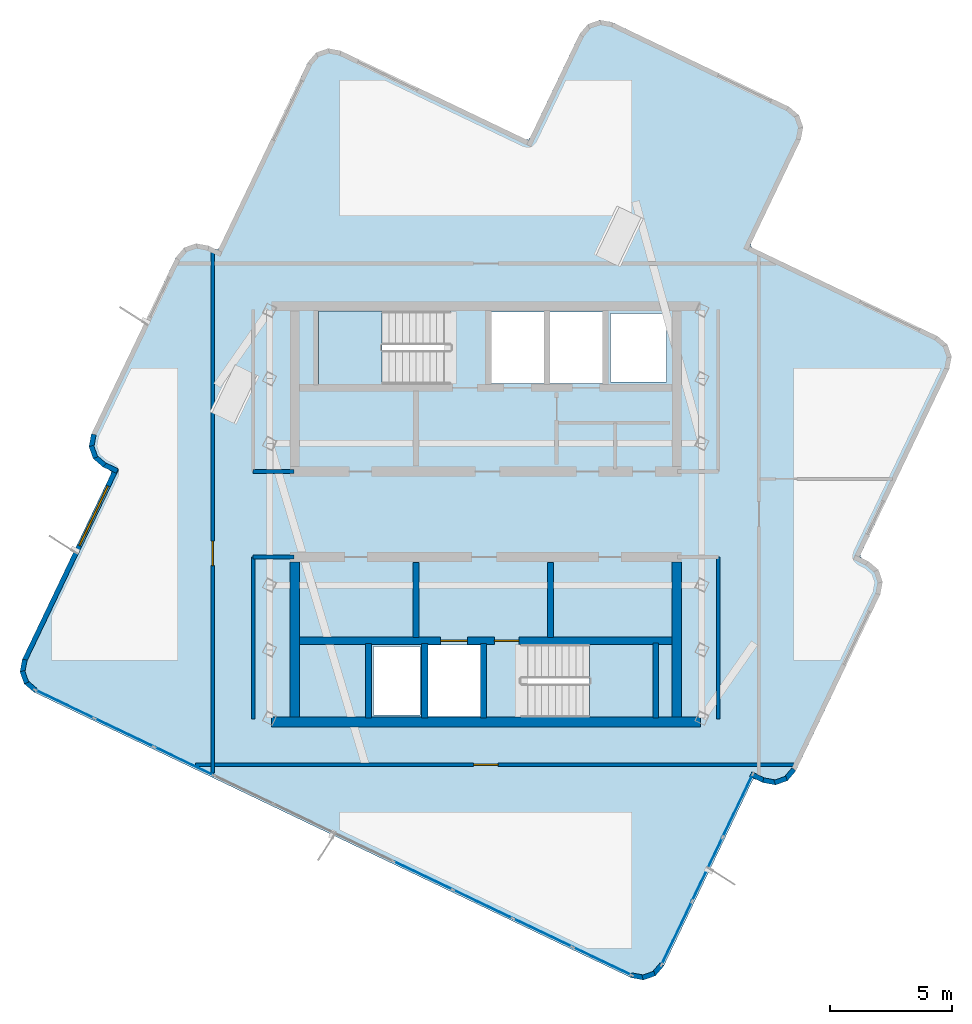
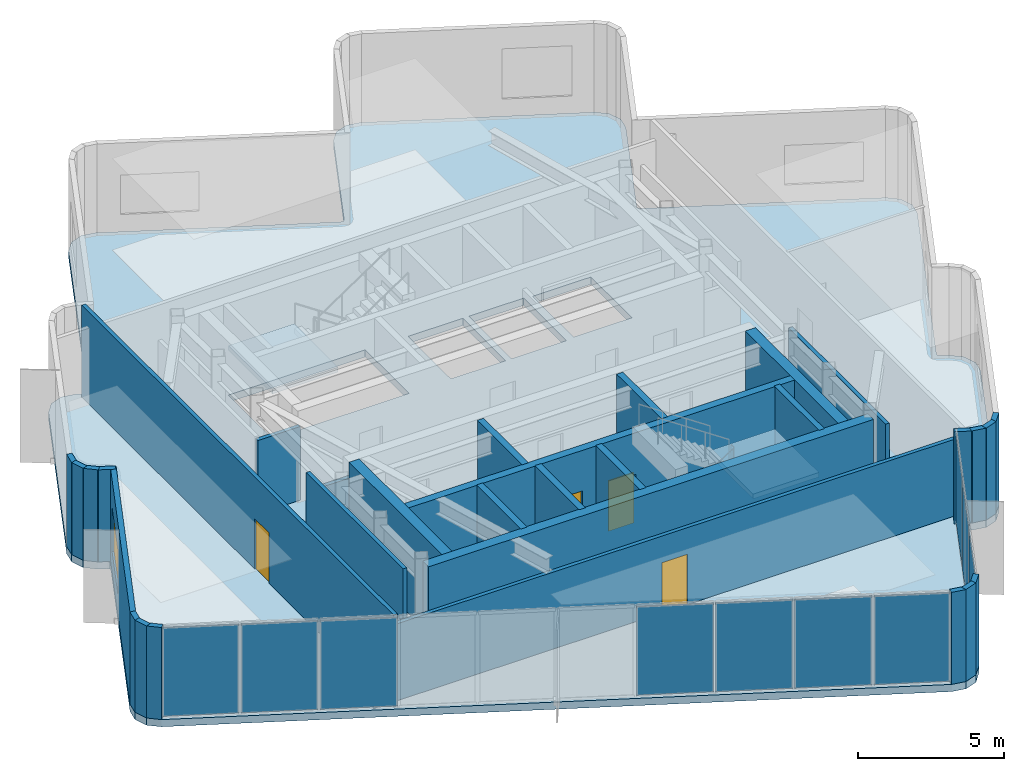
# One storey, part 3 of 8: 31 walls, 10 plates, 4 doors, 3 slabs, 1 window, 5 openings, 4 elements without a shape of their own.
"""IFC4 building model written with IfcOpenShell, lengths in metres."""

from ifc_helpers import new_model, si_unit, direction, frame, frame_2d, origin, origin_2d, place, context, subcontext, project, spatial, polyline, rectangle, outline, extrude, material, layer, layer_set, type_object, element, fill, aggregate, save


model = new_model("IFC4")

# Units and contexts
model_context = context("Model", 3, precision=1e-05, world=origin(), true_north=direction((0.0, 1.0)))
body_context = subcontext(model_context, "Body", "Model", "MODEL_VIEW")
ifc_project = project(units=[si_unit("LENGTHUNIT", "METRE"), si_unit("AREAUNIT", "SQUARE_METRE"), si_unit("VOLUMEUNIT", "CUBIC_METRE"), si_unit("PLANEANGLEUNIT", "RADIAN"), si_unit("MASSUNIT", "GRAM", prefix="KILO")], contexts=[model_context])

# Site, building, storey
site_placement = place(None, origin())
site = spatial("IfcSite", under=ifc_project, at=site_placement, CompositionType="ELEMENT")
building_placement = place(site_placement, origin())
building = spatial("IfcBuilding", under=site, at=building_placement, Name="Solmarez Civic Tower", CompositionType="ELEMENT")
storey_placement = place(building_placement, frame((0.0, 0.0, 293.39990234375)))
storey = spatial("IfcBuildingStorey", under=building, at=storey_placement, Name="L79 Crown", CompositionType="ELEMENT", Elevation=293.39990234375)

# Curtain wall, plates
ifc_material_1 = material(Name="Bronze Anodised Aluminium EN AW-6063 T6", Category="aluminium")
ifc_layer_1 = layer(ifc_material_1, 0.195068359375)
ifc_layer_set_1 = layer_set([ifc_layer_1], Name="Bronze Anodised Aluminium EN AW-6063 T6")
curtain_wall_type = type_object("IfcCurtainWallType", Name="CW-SYS-7", PredefinedType="NOTDEFINED", material=ifc_layer_set_1)
curtain_wall_1_placement = place(storey_placement, origin())
curtain_wall_1 = element("IfcCurtainWall", 1, at=curtain_wall_1_placement, inside=storey, type_object=curtain_wall_type, Name="L79 Crown Stick-Built Curtain Wall 1", PredefinedType="NOTDEFINED")
ifc_material_2 = material(Name="Solar Control Low-E Laminated Vision Glass", Category="glass")
ifc_layer_2 = layer(ifc_material_2, 0.035888671875)
ifc_layer_set_2 = layer_set([ifc_layer_2], Name="Solar Control Low-E Laminated Vision Glass")
plate_type = type_object("IfcPlateType", Name="CWP-GLAZ-36", PredefinedType="CURTAIN_PANEL", material=ifc_layer_set_2)
plate_1_placement = place(storey_placement, frame((10.3154296875, -11.923828125, 0.0703125), z_axis=(0.0, 0.0, 1.0), x_axis=(-0.431516312997, -0.902105133351, 0.0)))
plate_1 = element("IfcPlate", 2, at=plate_1_placement, type_object=plate_type, Name="CWS7 panel 1.1", PredefinedType="CURTAIN_PANEL", context=body_context, shape_type="SweptSolid", body=[
    extrude(rectangle(XDim=2.8115234375, YDim=0.035888671875, at=origin_2d()), origin(), (0.0, 0.0, 1.0), 3.699951171875),
])
plate_2_placement = place(storey_placement, frame((9.06689453125, -14.533447265625, 0.0703125), z_axis=(0.0, 0.0, 1.0), x_axis=(-0.431516312997, -0.902105133351, 0.0)))
plate_2 = element("IfcPlate", 3, at=plate_2_placement, type_object=plate_type, Name="CWS7 panel 2.1", PredefinedType="CURTAIN_PANEL", context=body_context, shape_type="SweptSolid", body=[
    extrude(rectangle(XDim=2.84423828125, YDim=0.035888671875, at=origin_2d()), origin(), (0.0, 0.0, 1.0), 3.699951171875),
])
plate_3_placement = place(storey_placement, frame((7.818603515625, -17.14306640625, 0.0703125), z_axis=(0.0, 0.0, 1.0), x_axis=(-0.431516312997, -0.902105133351, 0.0)))
plate_3 = element("IfcPlate", 4, at=plate_3_placement, type_object=plate_type, Name="CWS7 panel 3.1", PredefinedType="CURTAIN_PANEL", context=body_context, shape_type="SweptSolid", body=[
    extrude(rectangle(XDim=2.8115234375, YDim=0.035888671875, at=origin_2d()), origin(), (0.0, 0.0, 1.0), 3.699951171875),
])
aggregate(curtain_wall_1, [plate_1, plate_2, plate_3])

curtain_wall_2_placement = place(storey_placement, origin())
curtain_wall_2 = element("IfcCurtainWall", 5, at=curtain_wall_2_placement, inside=storey, type_object=curtain_wall_type, Name="L79 Crown Stick-Built Curtain Wall 2", PredefinedType="NOTDEFINED")
plate_4_placement = place(storey_placement, frame((4.76171875, -18.294921875, 0.0703125), z_axis=(0.0, 0.0, 1.0), x_axis=(-0.902134845535, 0.431454192784, 0.0)))
plate_4 = element("IfcPlate", 6, at=plate_4_placement, type_object=plate_type, Name="CWS7 panel 1.1", PredefinedType="CURTAIN_PANEL", context=body_context, shape_type="SweptSolid", body=[
    extrude(rectangle(XDim=2.614990234375, YDim=0.035888671875, at=origin_2d()), origin(), (0.0, 0.0, 1.0), 3.699951171875),
])
plate_5_placement = place(storey_placement, frame((2.32958984375, -17.131591796875, 0.0703125), z_axis=(0.0, 0.0, 1.0), x_axis=(-0.902134845535, 0.431454192784, 0.0)))
plate_5 = element("IfcPlate", 7, at=plate_5_placement, type_object=plate_type, Name="CWS7 panel 2.1", PredefinedType="CURTAIN_PANEL", context=body_context, shape_type="SweptSolid", body=[
    extrude(rectangle(XDim=2.6474609375, YDim=0.035888671875, at=origin_2d()), origin(), (0.0, 0.0, 1.0), 3.699951171875),
])
plate_6_placement = place(storey_placement, frame((-0.117431640625, -15.961181640625, 0.0703125), z_axis=(0.0, 0.0, 1.0), x_axis=(-0.902134845535, 0.431454192784, 0.0)))
plate_6 = element("IfcPlate", 8, at=plate_6_placement, type_object=plate_type, Name="CWS7 panel 3.1", PredefinedType="CURTAIN_PANEL", context=body_context, shape_type="SweptSolid", body=[
    extrude(rectangle(XDim=2.6474609375, YDim=0.035888671875, at=origin_2d()), origin(), (0.0, 0.0, 1.0), 3.699951171875),
])
plate_7_placement = place(storey_placement, frame((-2.564453125, -14.791015625, 0.0703125), z_axis=(0.0, 0.0, 1.0), x_axis=(-0.902134845535, 0.431454192784, 0.0)))
plate_7 = element("IfcPlate", 9, at=plate_7_placement, type_object=plate_type, Name="CWS7 panel 4.1", PredefinedType="CURTAIN_PANEL", context=body_context, shape_type="SweptSolid", body=[
    extrude(rectangle(XDim=2.6474609375, YDim=0.035888671875, at=origin_2d()), origin(), (0.0, 0.0, 1.0), 3.699951171875),
])
plate_8_placement = place(storey_placement, frame((-12.3525390625, -10.10986328125, 0.0703125), z_axis=(0.0, 0.0, 1.0), x_axis=(-0.902134845535, 0.431454192784, 0.0)))
plate_8 = element("IfcPlate", 10, at=plate_8_placement, type_object=plate_type, Name="CWS7 panel 8.1", PredefinedType="CURTAIN_PANEL", context=body_context, shape_type="SweptSolid", body=[
    extrude(rectangle(XDim=2.6474609375, YDim=0.035888671875, at=origin_2d()), origin(), (0.0, 0.0, 1.0), 3.699951171875),
])
plate_9_placement = place(storey_placement, frame((-14.799560546875, -8.939453125, 0.0703125), z_axis=(0.0, 0.0, 1.0), x_axis=(-0.902134845535, 0.431454192784, 0.0)))
plate_9 = element("IfcPlate", 11, at=plate_9_placement, type_object=plate_type, Name="CWS7 panel 9.1", PredefinedType="CURTAIN_PANEL", context=body_context, shape_type="SweptSolid", body=[
    extrude(rectangle(XDim=2.6474609375, YDim=0.035888671875, at=origin_2d()), origin(), (0.0, 0.0, 1.0), 3.699951171875),
])
plate_10_placement = place(storey_placement, frame((-17.23193359375, -7.776123046875, 0.0703125), z_axis=(0.0, 0.0, 1.0), x_axis=(-0.902134845535, 0.431454192784, 0.0)))
plate_10 = element("IfcPlate", 12, at=plate_10_placement, type_object=plate_type, Name="CWS7 panel 10.1", PredefinedType="CURTAIN_PANEL", context=body_context, shape_type="SweptSolid", body=[
    extrude(rectangle(XDim=2.614990234375, YDim=0.035888671875, at=origin_2d()), origin(), (0.0, 0.0, 1.0), 3.699951171875),
])
aggregate(curtain_wall_2, [plate_4, plate_5, plate_6, plate_7, plate_8, plate_9, plate_10])

# Slab
ifc_material_3 = material(Name="Concrete C50/60", Category="concrete")
ifc_layer_3 = layer(ifc_material_3, 0.300048828125)
ifc_layer_set_3 = layer_set([ifc_layer_3], Name="Concrete C50/60")
slab_type_1 = type_object("IfcSlabType", Name="SLAB-CROWN-300", PredefinedType="FLOOR", material=ifc_layer_set_3)
slab_1_placement = place(storey_placement, frame((0.0, 0.0, -0.2998046875)))
element("IfcSlab", 13, at=slab_1_placement, inside=storey, type_object=slab_type_1, Name="L79 Crown Structural Slab", PredefinedType="FLOOR", context=body_context, shape_type="SweptSolid", body=[
    extrude(outline(polyline([(11.0810546875, -10.85888671875), (11.35009765625, -10.987060546875), (11.85888671875, -11.08203125), (12.346923828125, -10.909912109375), (12.68408203125, -10.51708984375), (16.14794921875, -3.27294921875), (16.242919921875, -2.763916015625), (16.071044921875, -2.27587890625), (15.677978515625, -1.93896484375), (15.408935546875, -1.81005859375), (15.326904296875, -1.739990234375), (15.346923828125, -1.635009765625), (18.971923828125, 5.946044921875), (19.06689453125, 6.455078125), (18.89501953125, 6.943115234375), (18.501953125, 7.280029296875), (10.9208984375, 10.905029296875), (10.839111328125, 10.97509765625), (10.85888671875, 11.0810546875), (12.89404296875, 15.337890625), (12.989013671875, 15.846923828125), (12.81689453125, 16.3349609375), (12.424072265625, 16.6708984375), (5.179931640625, 20.135986328125), (4.6708984375, 20.23095703125), (4.18310546875, 20.05810546875), (3.845947265625, 19.6650390625), (1.81005859375, 15.408935546875), (1.739990234375, 15.326904296875), (1.635009765625, 15.346923828125), (-5.946044921875, 18.971923828125), (-6.455078125, 19.06689453125), (-6.943115234375, 18.89501953125), (-7.280029296875, 18.501953125), (-10.905029296875, 10.9208984375), (-10.97509765625, 10.839111328125), (-11.0810546875, 10.85888671875), (-11.35009765625, 10.987060546875), (-11.85888671875, 11.08203125), (-12.346923828125, 10.909912109375), (-12.68408203125, 10.51708984375), (-16.14794921875, 3.27294921875), (-16.242919921875, 2.763916015625), (-16.071044921875, 2.27587890625), (-15.677978515625, 1.93896484375), (-15.408935546875, 1.81005859375), (-15.326904296875, 1.739990234375), (-15.346923828125, 1.635009765625), (-18.971923828125, -5.946044921875), (-19.06689453125, -6.455078125), (-18.89501953125, -6.943115234375), (-18.501953125, -7.280029296875), (5.946044921875, -18.971923828125), (6.455078125, -19.06689453125), (6.943115234375, -18.89501953125), (7.280029296875, -18.501953125), (10.905029296875, -10.9208984375), (10.97509765625, -10.839111328125), (11.0810546875, -10.85888671875)]), holes=[polyline([(-1.449951171875, 8.320068359375), (-6.85009765625, 8.320068359375), (-6.85009765625, 5.320068359375), (-1.449951171875, 5.320068359375), (-1.449951171875, 8.320068359375)]), polyline([(1.449951171875, -8.320068359375), (6.85009765625, -8.320068359375), (6.85009765625, -5.320068359375), (1.449951171875, -5.320068359375), (1.449951171875, -8.320068359375)]), polyline([(0.219970703125, 5.360107421875), (2.3798828125, 5.360107421875), (2.3798828125, 8.280029296875), (0.219970703125, 8.280029296875), (0.219970703125, 5.360107421875)]), polyline([(2.6201171875, 5.360107421875), (4.780029296875, 5.360107421875), (4.780029296875, 8.280029296875), (2.6201171875, 8.280029296875), (2.6201171875, 5.360107421875)]), polyline([(-2.3798828125, -8.280029296875), (-0.219970703125, -8.280029296875), (-0.219970703125, -5.360107421875), (-2.3798828125, -5.360107421875), (-2.3798828125, -8.280029296875)]), polyline([(5.10009765625, 5.419921875), (7.39990234375, 5.419921875), (7.39990234375, 8.219970703125), (5.10009765625, 8.219970703125), (5.10009765625, 5.419921875)]), polyline([(-4.60009765625, -8.219970703125), (-2.699951171875, -8.219970703125), (-2.699951171875, -5.419921875), (-4.60009765625, -5.419921875), (-4.60009765625, -8.219970703125)])]), origin(), (0.0, 0.0, 1.0), 0.2998046875),
])

# Stair, slab
stair_type = type_object("IfcStairType", Name="STAIR-DOGLEG-140W-22R-1882", PredefinedType="HALF_TURN_STAIR", material=ifc_material_3)
stair_1_placement = place(storey_placement, origin())
stair_1 = element("IfcStair", 14, at=stair_1_placement, inside=storey, type_object=stair_type, Name="L79 Crown North Core Protected Exit Stair ST-1", PredefinedType="HALF_TURN_STAIR")
ifc_layer_4 = layer(ifc_material_3, 0.199951171875)
ifc_layer_set_4 = layer_set([ifc_layer_4], Name="Concrete C50/60")
slab_type_2 = type_object("IfcSlabType", Name="SLAB-LANDING-200", PredefinedType="LANDING", material=ifc_layer_set_4)
slab_2_placement = place(storey_placement, frame((0.0, 0.0, 1.8701171875)))
slab_2 = element("IfcSlab", 15, at=slab_2_placement, type_object=slab_type_2, Name="ST-1 landing 1", PredefinedType="LANDING", context=body_context, shape_type="SweptSolid", body=[
    extrude(outline(polyline([(-4.25, 8.320068359375), (-6.85009765625, 8.320068359375), (-6.85009765625, 5.320068359375), (-4.25, 5.320068359375), (-4.25, 8.320068359375)])), origin(), (0.0, 0.0, 1.0), 0.199951171875),
])
aggregate(stair_1, [slab_2])

stair_2_placement = place(storey_placement, origin())
stair_2 = element("IfcStair", 16, at=stair_2_placement, inside=storey, type_object=stair_type, Name="L79 Crown South Core Protected Exit Stair ST-2", PredefinedType="HALF_TURN_STAIR")
slab_3_placement = place(storey_placement, frame((0.0, 0.0, 1.8701171875)))
slab_3 = element("IfcSlab", 17, at=slab_3_placement, type_object=slab_type_2, Name="ST-2 landing 1", PredefinedType="LANDING", context=body_context, shape_type="SweptSolid", body=[
    extrude(outline(polyline([(4.25, -8.320068359375), (6.85009765625, -8.320068359375), (6.85009765625, -5.320068359375), (4.25, -5.320068359375), (4.25, -8.320068359375)])), origin(), (0.0, 0.0, 1.0), 0.199951171875),
])
aggregate(stair_2, [slab_3])

# Walls
ifc_layer_5 = layer(ifc_material_3, 0.39990234375)
ifc_layer_set_5 = layer_set([ifc_layer_5], Name="Concrete C50/60")
wall_type_1 = type_object("IfcWallType", Name="WALL-CORE-400", PredefinedType="SHEAR", material=ifc_layer_set_5)
wall_1_placement = place(storey_placement, frame((8.780029296875, -8.510009765625, 0.0), z_axis=(0.0, 0.0, 1.0), x_axis=(-1.0, 0.0, 0.0)))
element("IfcWall", 18, at=wall_1_placement, inside=storey, type_object=wall_type_1, Name="L79 Crown Split-Core Structural Wall SCW-S-L79 Crown", PredefinedType="SHEAR", context=body_context, shape_type="SweptSolid", body=[
    extrude(rectangle(XDim=17.56005859375, YDim=0.39990234375, at=frame_2d((8.780029296875, 0.0))), origin(), (0.0, 0.0, 1.0), 3.840087890625),
])
for number, where, z_axis, x_axis, name in (
    (19, (-7.820068359375, -8.31005859375, 0.0), (0.0, 0.0, 1.0), (0.0, 1.0, 0.0), "L79 Crown Split-Core Structural Wall SCW-W-L79 Crown"),
    (20, (7.820068359375, -1.949951171875, 0.0), (0.0, 0.0, 1.0), (0.0, -1.0, 0.0), "L79 Crown Split-Core Structural Wall SCW-E-L79 Crown"),
):
    element("IfcWall", number, at=place(storey_placement, frame(where, z_axis=z_axis, x_axis=x_axis)), inside=storey, type_object=wall_type_1, Name=name, PredefinedType="SHEAR", context=body_context, shape_type="SweptSolid", body=[
        extrude(rectangle(XDim=6.360107421875, YDim=0.39990234375, at=frame_2d((3.18017578125, 0.0))), origin(), (0.0, 0.0, 1.0), 3.840087890625),
    ])
ifc_material_4 = material(Name="Precast concrete C40/50", Category="concrete")
ifc_layer_6 = layer(ifc_material_4, 0.199951171875)
ifc_layer_set_6 = layer_set([ifc_layer_6], Name="Precast concrete C40/50")
wall_type_2 = type_object("IfcWallType", Name="WALL-EXT-200", PredefinedType="SOLIDWALL", material=ifc_layer_set_6)
wall_2_placement = place(storey_placement, frame((7.2109375, -18.427978515625, 0.0), z_axis=(0.0, 0.0, 1.0), x_axis=(-0.649988656018, -0.759943910462, 0.0)))
element("IfcWall", 21, at=wall_2_placement, inside=storey, type_object=wall_type_2, Name="L79 Crown Exterior Precast Wall 3", PredefinedType="SOLIDWALL", context=body_context, shape_type="SweptSolid", body=[
    extrude(rectangle(XDim=0.526123046875, YDim=0.199951171875, at=frame_2d((0.26318359375, 0.0))), origin(), (0.0, 0.0, 1.0), 3.840087890625),
])
wall_3_placement = place(storey_placement, frame((6.908935546875, -18.801025390625, 0.0), z_axis=(0.0, 0.0, 1.0), x_axis=(-0.943339872384, -0.331828095813, 0.0)))
element("IfcWall", 22, at=wall_3_placement, inside=storey, type_object=wall_type_2, Name="L79 Crown Exterior Precast Wall 4", PredefinedType="SOLIDWALL", context=body_context, shape_type="SweptSolid", body=[
    extrude(rectangle(XDim=0.51513671875, YDim=0.199951171875, at=frame_2d((0.257568359375, 0.0))), origin(), (0.0, 0.0, 1.0), 3.840087890625),
])
wall_4_placement = place(storey_placement, frame((6.471923828125, -18.968994140625, 0.0), z_axis=(0.0, 0.0, 1.0), x_axis=(-0.982736118113, 0.185012762142, 0.0)))
element("IfcWall", 23, at=wall_4_placement, inside=storey, type_object=wall_type_2, Name="L79 Crown Exterior Precast Wall 5", PredefinedType="SOLIDWALL", context=body_context, shape_type="SweptSolid", body=[
    extrude(rectangle(XDim=0.529052734375, YDim=0.199951171875, at=frame_2d((0.2646484375, 0.0))), origin(), (0.0, 0.0, 1.0), 3.840087890625),
])
wall_5_placement = place(storey_placement, frame((-18.427978515625, -7.2109375, 0.0), z_axis=(0.0, 0.0, 1.0), x_axis=(-0.759943910462, 0.649988656018, 0.0)))
element("IfcWall", 24, at=wall_5_placement, inside=storey, type_object=wall_type_2, Name="L79 Crown Exterior Precast Wall 7", PredefinedType="SOLIDWALL", context=body_context, shape_type="SweptSolid", body=[
    extrude(rectangle(XDim=0.526123046875, YDim=0.199951171875, at=frame_2d((0.26318359375, 0.0))), origin(), (0.0, 0.0, 1.0), 3.840087890625),
])
wall_6_placement = place(storey_placement, frame((-18.801025390625, -6.908935546875, 0.0), z_axis=(0.0, 0.0, 1.0), x_axis=(-0.331828095813, 0.943339872384, 0.0)))
element("IfcWall", 25, at=wall_6_placement, inside=storey, type_object=wall_type_2, Name="L79 Crown Exterior Precast Wall 8", PredefinedType="SOLIDWALL", context=body_context, shape_type="SweptSolid", body=[
    extrude(rectangle(XDim=0.51513671875, YDim=0.199951171875, at=frame_2d((0.257568359375, 0.0))), origin(), (0.0, 0.0, 1.0), 3.840087890625),
])
wall_7_placement = place(storey_placement, frame((-18.968994140625, -6.471923828125, 0.0), z_axis=(0.0, 0.0, 1.0), x_axis=(0.185012762142, 0.982736118113, 0.0)))
element("IfcWall", 26, at=wall_7_placement, inside=storey, type_object=wall_type_2, Name="L79 Crown Exterior Precast Wall 9", PredefinedType="SOLIDWALL", context=body_context, shape_type="SweptSolid", body=[
    extrude(rectangle(XDim=0.529052734375, YDim=0.199951171875, at=frame_2d((0.2646484375, 0.0))), origin(), (0.0, 0.0, 1.0), 3.840087890625),
])

# Wall, opening, window
wall_8_placement = place(storey_placement, frame((-18.886962890625, -6.0, 0.0), z_axis=(0.0, 0.0, 1.0), x_axis=(0.4314545073, 0.902134695115, 0.0)))
wall_8 = element("IfcWall", 27, at=wall_8_placement, inside=storey, type_object=wall_type_2, Name="L79 Crown Exterior Precast Wall 10", PredefinedType="SOLIDWALL", context=body_context, shape_type="SweptSolid", body=[
    extrude(rectangle(XDim=8.72607421875, YDim=0.199951171875, at=frame_2d((4.363037109375, 0.0))), origin(), (0.0, 0.0, 1.0), 3.840087890625),
])
opening_1_placement = place(wall_8_placement, frame((5.22607421875, 0.0, 0.85009765625)))
opening_1 = element("IfcOpeningElement", 28, at=opening_1_placement, cuts=wall_8, Name="Opening W-05", PredefinedType="OPENING", context=body_context, shape_type="SweptSolid", body=[
    extrude(rectangle(XDim=2.699951171875, YDim=1.85009765625, at=frame_2d((1.35009765625, 0.925048828125))), frame((0.0, 0.10986328125, 0.0), z_axis=(0.0, -1.0, 0.0), x_axis=(1.0, 0.0, 0.0)), (0.0, 0.0, 1.0), 0.219970703125),
])
ifc_material_5 = material(Name="Solar Control Bronze-Tinted Insulating Glass", Category="glass")
window_type = type_object("IfcWindowType", Name="WIN-2700X1850", PartitioningType="SINGLE_PANEL", PredefinedType="WINDOW", material=ifc_material_5)
window_placement = place(opening_1_placement, origin())
window = element("IfcWindow", 29, at=window_placement, inside=storey, type_object=window_type, Name="L79 Crown Exterior Facade Window 10", OverallHeight=1.85009765625, OverallWidth=2.699951171875, PartitioningType="SINGLE_PANEL", PredefinedType="WINDOW", context=body_context, shape_type="SweptSolid", body=[
    extrude(rectangle(XDim=2.699951171875, YDim=1.85009765625, at=frame_2d((1.35009765625, 0.925048828125))), frame((0.0, 0.030029296875, 0.0), z_axis=(0.0, -1.0, 0.0), x_axis=(1.0, 0.0, 0.0)), (0.0, 0.0, 1.0), 0.06005859375),
])
fill(opening_1, window)

# Walls
wall_9_placement = place(storey_placement, frame((-15.0849609375, 1.764892578125, 0.0), z_axis=(0.0, 0.0, 1.0), x_axis=(-0.901069775832, 0.433674139282, 0.0)))
element("IfcWall", 30, at=wall_9_placement, inside=storey, type_object=wall_type_2, Name="L79 Crown Exterior Precast Wall 13", PredefinedType="SOLIDWALL", context=body_context, shape_type="SweptSolid", body=[
    extrude(rectangle(XDim=0.62255859375, YDim=0.199951171875, at=frame_2d((0.311279296875, 0.0))), origin(), (0.0, 0.0, 1.0), 3.840087890625),
])
wall_10_placement = place(storey_placement, frame((-15.60400390625, 2.008056640625, 0.0), z_axis=(0.0, 0.0, 1.0), x_axis=(-0.760726296162, 0.649072802024, 0.0)))
element("IfcWall", 31, at=wall_10_placement, inside=storey, type_object=wall_type_2, Name="L79 Crown Exterior Precast Wall 14", PredefinedType="SOLIDWALL", context=body_context, shape_type="SweptSolid", body=[
    extrude(rectangle(XDim=0.52685546875, YDim=0.199951171875, at=frame_2d((0.263427734375, 0.0))), origin(), (0.0, 0.0, 1.0), 3.840087890625),
])
wall_11_placement = place(storey_placement, frame((-15.97802734375, 2.31005859375, 0.0), z_axis=(0.0, 0.0, 1.0), x_axis=(-0.330139130112, 0.943932282936, 0.0)))
element("IfcWall", 32, at=wall_11_placement, inside=storey, type_object=wall_type_2, Name="L79 Crown Exterior Precast Wall 15", PredefinedType="SOLIDWALL", context=body_context, shape_type="SweptSolid", body=[
    extrude(rectangle(XDim=0.5146484375, YDim=0.199951171875, at=frame_2d((0.25732421875, 0.0))), origin(), (0.0, 0.0, 1.0), 3.840087890625),
])
wall_12_placement = place(storey_placement, frame((-16.14501953125, 2.7470703125, 0.0), z_axis=(0.0, 0.0, 1.0), x_axis=(0.183562644201, 0.983008014033, 0.0)))
element("IfcWall", 33, at=wall_12_placement, inside=storey, type_object=wall_type_2, Name="L79 Crown Exterior Precast Wall 16", PredefinedType="SOLIDWALL", context=body_context, shape_type="SweptSolid", body=[
    extrude(rectangle(XDim=0.528076171875, YDim=0.199951171875, at=frame_2d((0.26416015625, 0.0))), origin(), (0.0, 0.0, 1.0), 3.840087890625),
])
wall_13_placement = place(storey_placement, frame((12.614990234375, -10.443115234375, 0.0), z_axis=(0.0, 0.0, 1.0), x_axis=(-0.649072802024, -0.760726296162, 0.0)))
element("IfcWall", 34, at=wall_13_placement, inside=storey, type_object=wall_type_2, Name="L79 Crown Exterior Precast Wall 54", PredefinedType="SOLIDWALL", context=body_context, shape_type="SweptSolid", body=[
    extrude(rectangle(XDim=0.52685546875, YDim=0.199951171875, at=frame_2d((0.263427734375, 0.0))), origin(), (0.0, 0.0, 1.0), 3.840087890625),
])
wall_14_placement = place(storey_placement, frame((12.31298828125, -10.81689453125, 0.0), z_axis=(0.0, 0.0, 1.0), x_axis=(-0.943836182575, -0.3304137716, 0.0)))
element("IfcWall", 35, at=wall_14_placement, inside=storey, type_object=wall_type_2, Name="L79 Crown Exterior Precast Wall 55", PredefinedType="SOLIDWALL", context=body_context, shape_type="SweptSolid", body=[
    extrude(rectangle(XDim=0.514892578125, YDim=0.199951171875, at=frame_2d((0.25732421875, 0.0))), origin(), (0.0, 0.0, 1.0), 3.840087890625),
])
wall_15_placement = place(storey_placement, frame((11.8759765625, -10.98388671875, 0.0), z_axis=(0.0, 0.0, 1.0), x_axis=(-0.983070163766, 0.183229509397, 0.0)))
element("IfcWall", 36, at=wall_15_placement, inside=storey, type_object=wall_type_2, Name="L79 Crown Exterior Precast Wall 56", PredefinedType="SOLIDWALL", context=body_context, shape_type="SweptSolid", body=[
    extrude(rectangle(XDim=0.529052734375, YDim=0.199951171875, at=frame_2d((0.2646484375, 0.0))), origin(), (0.0, 0.0, 1.0), 3.840087890625),
])
wall_16_placement = place(storey_placement, frame((11.404052734375, -10.903076171875, 0.0), z_axis=(0.0, 0.0, 1.0), x_axis=(-0.901682192305, 0.432399380296, 0.0)))
element("IfcWall", 37, at=wall_16_placement, inside=storey, type_object=wall_type_2, Name="L79 Crown Exterior Precast Wall 57", PredefinedType="SOLIDWALL", context=body_context, shape_type="SweptSolid", body=[
    extrude(rectangle(XDim=0.622314453125, YDim=0.199951171875, at=frame_2d((0.31103515625, 0.0))), origin(), (0.0, 0.0, 1.0), 3.840087890625),
])
ifc_material_6 = material(Name="Gypsum Board Acoustic Steel-Stud Partition", Category="steel")
ifc_layer_7 = layer(ifc_material_6, 0.14990234375)
ifc_layer_set_7 = layer_set([ifc_layer_7], Name="Gypsum Board Acoustic Steel-Stud Partition")
wall_type_3 = type_object("IfcWallType", Name="WALL-INT-FIRE-150", PredefinedType="PARTITIONING", material=ifc_layer_set_7)
wall_17_placement = place(storey_placement, frame((-7.85009765625, 1.75, 0.0), z_axis=(0.0, 0.0, 1.0), x_axis=(-1.0, 0.0, 0.0)))
element("IfcWall", 38, at=wall_17_placement, inside=storey, type_object=wall_type_3, Name="L79 Crown Interior Partition CHW-L79 Crown-WN3", PredefinedType="PARTITIONING", context=body_context, shape_type="SweptSolid", body=[
    extrude(rectangle(XDim=1.669921875, YDim=0.14990234375, at=frame_2d((0.8349609375, 0.0))), origin(), (0.0, 0.0, 1.0), 3.070068359375),
])
wall_18_placement = place(storey_placement, frame((-9.52001953125, -8.3798828125, 0.0), z_axis=(0.0, 0.0, 1.0), x_axis=(0.0, 1.0, 0.0)))
element("IfcWall", 39, at=wall_18_placement, inside=storey, type_object=wall_type_3, Name="L79 Crown Interior Partition CHW-L79 Crown-WS1", PredefinedType="PARTITIONING", context=body_context, shape_type="SweptSolid", body=[
    extrude(rectangle(XDim=6.6298828125, YDim=0.14990234375, at=frame_2d((3.31494140625, 0.0))), origin(), (0.0, 0.0, 1.0), 3.840087890625),
])
wall_19_placement = place(storey_placement, frame((-7.85009765625, -1.75, 0.0), z_axis=(0.0, 0.0, 1.0), x_axis=(-1.0, 0.0, 0.0)))
element("IfcWall", 40, at=wall_19_placement, inside=storey, type_object=wall_type_3, Name="L79 Crown Interior Partition CHW-L79 Crown-WS3", PredefinedType="PARTITIONING", context=body_context, shape_type="SweptSolid", body=[
    extrude(rectangle(XDim=1.669921875, YDim=0.14990234375, at=frame_2d((0.8349609375, 0.0))), origin(), (0.0, 0.0, 1.0), 3.070068359375),
])
wall_20_placement = place(storey_placement, frame((9.52001953125, -8.3798828125, 0.0), z_axis=(0.0, 0.0, 1.0), x_axis=(0.0, 1.0, 0.0)))
element("IfcWall", 41, at=wall_20_placement, inside=storey, type_object=wall_type_3, Name="L79 Crown Interior Partition CHW-L79 Crown-ES1", PredefinedType="PARTITIONING", context=body_context, shape_type="SweptSolid", body=[
    extrude(rectangle(XDim=6.6298828125, YDim=0.14990234375, at=frame_2d((3.31494140625, 0.0))), origin(), (0.0, 0.0, 1.0), 3.210205078125),
])

# Wall, opening, door
wall_21_placement = place(storey_placement, frame((-11.179931640625, -10.59912109375, 0.0), z_axis=(0.0, 0.0, 1.0), x_axis=(0.0, 1.0, 0.0)))
wall_21 = element("IfcWall", 42, at=wall_21_placement, inside=storey, type_object=wall_type_3, Name="L79 Crown Interior Partition PT-L79 Crown-W", PredefinedType="PARTITIONING", context=body_context, shape_type="SweptSolid", body=[
    extrude(rectangle(XDim=21.322021484375, YDim=0.14990234375, at=frame_2d((10.6611328125, 0.0))), origin(), (0.0, 0.0, 1.0), 3.840087890625),
])
opening_2_placement = place(wall_21_placement, frame((8.4990234375, 0.0, 0.0)))
opening_2 = element("IfcOpeningElement", 43, at=opening_2_placement, cuts=wall_21, Name="Opening D-04", PredefinedType="OPENING", context=body_context, shape_type="SweptSolid", body=[
    extrude(rectangle(XDim=1.0, YDim=2.10009765625, at=frame_2d((0.5, 1.050048828125))), frame((0.0, 0.0849609375, 0.0), z_axis=(0.0, -1.0, 0.0), x_axis=(1.0, 0.0, 0.0)), (0.0, 0.0, 1.0), 0.169921875),
])
ifc_material_7 = material(Name="Steel-Faced Acoustic Fire Door", Category="steel")
door_type_1 = type_object("IfcDoorType", Name="DOOR-FD60-1000", OperationType="NOTDEFINED", PredefinedType="DOOR", material=ifc_material_7)
door_1_placement = place(opening_2_placement, origin())
door_1 = element("IfcDoor", 44, at=door_1_placement, inside=storey, type_object=door_type_1, Name="L79 Crown Tropical Orchid Reading Garden Door", OperationType="SINGLE_SWING_LEFT", OverallHeight=2.10009765625, OverallWidth=1.0, PredefinedType="DOOR", context=body_context, shape_type="SweptSolid", body=[
    extrude(rectangle(XDim=1.0, YDim=2.10009765625, at=frame_2d((0.5, 1.050048828125))), frame((0.0, 0.02490234375, 0.0), z_axis=(0.0, -1.0, 0.0), x_axis=(1.0, 0.0, 0.0)), (0.0, 0.0, 1.0), 0.050048828125),
])
fill(opening_2, door_1)

wall_22_placement = place(storey_placement, frame((12.6240234375, -10.260009765625, 0.0), z_axis=(0.0, 0.0, 1.0), x_axis=(-1.0, 0.0, 0.0)))
wall_22 = element("IfcWall", 45, at=wall_22_placement, inside=storey, type_object=wall_type_3, Name="L79 Crown Interior Partition PT-L79 Crown-S", PredefinedType="PARTITIONING", context=body_context, shape_type="SweptSolid", body=[
    extrude(rectangle(XDim=24.511962890625, YDim=0.14990234375, at=frame_2d((12.255859375, 0.0))), origin(), (0.0, 0.0, 1.0), 3.210205078125),
])
opening_3_placement = place(wall_22_placement, frame((12.1240234375, 0.0, 0.0)))
opening_3 = element("IfcOpeningElement", 46, at=opening_3_placement, cuts=wall_22, Name="Opening D-04", PredefinedType="OPENING", context=body_context, shape_type="SweptSolid", body=[
    extrude(rectangle(XDim=1.0, YDim=2.10009765625, at=frame_2d((0.5, 1.050048828125))), frame((0.0, 0.0849609375, 0.0), z_axis=(0.0, -1.0, 0.0), x_axis=(1.0, 0.0, 0.0)), (0.0, 0.0, 1.0), 0.169921875),
])
door_2_placement = place(opening_3_placement, origin())
door_2 = element("IfcDoor", 47, at=door_2_placement, inside=storey, type_object=door_type_1, Name="L79 Crown Panoramic Observation Lounge Door", OperationType="SINGLE_SWING_RIGHT", OverallHeight=2.10009765625, OverallWidth=1.0, PredefinedType="DOOR", context=body_context, shape_type="SweptSolid", body=[
    extrude(rectangle(XDim=1.0, YDim=2.10009765625, at=frame_2d((0.5, 1.050048828125))), frame((0.0, 0.02490234375, 0.0), z_axis=(0.0, -1.0, 0.0), x_axis=(1.0, 0.0, 0.0)), (0.0, 0.0, 1.0), 0.050048828125),
])
fill(opening_3, door_2)

# Wall, openings, doors
ifc_layer_8 = layer(ifc_material_3, 0.300048828125)
ifc_layer_set_8 = layer_set([ifc_layer_8], Name="Concrete C50/60")
wall_type_4 = type_object("IfcWallType", Name="WALL-STR-300", PredefinedType="SOLIDWALL", material=ifc_layer_set_8)
wall_23_placement = place(storey_placement, frame((-7.6201171875, -5.179931640625, 0.0), z_axis=(0.0, 0.0, 1.0), x_axis=(1.0, 0.0, 0.0)))
wall_23 = element("IfcWall", 48, at=wall_23_placement, inside=storey, type_object=wall_type_4, Name="L79 Crown Split-Core Structural Wall SCW-M-L79 Crown", PredefinedType="SOLIDWALL", context=body_context, shape_type="SweptSolid", body=[
    extrude(rectangle(XDim=15.240234375, YDim=0.300048828125, at=frame_2d((7.6201171875, 0.0))), origin(), (0.0, 0.0, 1.0), 3.840087890625),
])
opening_4_placement = place(wall_23_placement, frame((5.77001953125, 0.0, 0.0)))
opening_4 = element("IfcOpeningElement", 49, at=opening_4_placement, cuts=wall_23, Name="Opening LD-02", PredefinedType="OPENING", context=body_context, shape_type="SweptSolid", body=[
    extrude(rectangle(XDim=1.10009765625, YDim=2.14990234375, at=frame_2d((0.550048828125, 1.074951171875))), frame((0.0, 0.159912109375, 0.0), z_axis=(0.0, -1.0, 0.0), x_axis=(1.0, 0.0, 0.0)), (0.0, 0.0, 1.0), 0.320068359375),
])
opening_5_placement = place(wall_23_placement, frame((7.969970703125, 0.0, 0.0)))
opening_5 = element("IfcOpeningElement", 50, at=opening_5_placement, cuts=wall_23, Name="Opening D-05", PredefinedType="OPENING", context=body_context, shape_type="SweptSolid", body=[
    extrude(rectangle(XDim=1.0, YDim=2.10009765625, at=frame_2d((0.5, 1.050048828125))), frame((0.0, 0.159912109375, 0.0), z_axis=(0.0, -1.0, 0.0), x_axis=(1.0, 0.0, 0.0)), (0.0, 0.0, 1.0), 0.320068359375),
])
ifc_material_8 = material(Name="Fire-Rated Stairwell Exit Door", Category="wood")
door_type_2 = type_object("IfcDoorType", Name="DOOR-FD90-1000", OperationType="NOTDEFINED", PredefinedType="DOOR", material=ifc_material_8)
door_3_placement = place(opening_5_placement, origin())
door_3 = element("IfcDoor", 51, at=door_3_placement, inside=storey, type_object=door_type_2, Name="L79 Crown South Exit Stair Door ST-2", OperationType="SINGLE_SWING_LEFT", OverallHeight=2.10009765625, OverallWidth=1.0, PredefinedType="DOOR", context=body_context, shape_type="SweptSolid", body=[
    extrude(rectangle(XDim=1.0, YDim=2.10009765625, at=frame_2d((0.5, 1.050048828125))), frame((0.0, 0.02490234375, 0.0), z_axis=(0.0, -1.0, 0.0), x_axis=(1.0, 0.0, 0.0)), (0.0, 0.0, 1.0), 0.050048828125),
])
fill(opening_5, door_3)
ifc_material_9 = material(Name="Stainless Firefighting Lift Landing Sliding Door", Category="aluminium")
door_type_3 = type_object("IfcDoorType", Name="DOOR-LD-FF-1100", OperationType="DOUBLE_DOOR_SLIDING", PredefinedType="DOOR", material=ifc_material_9)
door_4_placement = place(opening_4_placement, origin())
door_4 = element("IfcDoor", 52, at=door_4_placement, inside=storey, type_object=door_type_3, Name="L79 Crown Firefighting Lift Landing Door FFL-2", OperationType="DOUBLE_DOOR_SLIDING", OverallHeight=2.14990234375, OverallWidth=1.10009765625, PredefinedType="DOOR", context=body_context, shape_type="SweptSolid", body=[
    extrude(rectangle(XDim=1.10009765625, YDim=2.14990234375, at=frame_2d((0.550048828125, 1.074951171875))), frame((0.0, 0.02490234375, 0.0), z_axis=(0.0, -1.0, 0.0), x_axis=(1.0, 0.0, 0.0)), (0.0, 0.0, 1.0), 0.050048828125),
])
fill(opening_4, door_4)

# Walls
wall_24_placement = place(storey_placement, frame((6.949951171875, -8.340087890625, 0.0), z_axis=(0.0, 0.0, 1.0), x_axis=(0.0, 1.0, 0.0)))
element("IfcWall", 53, at=wall_24_placement, inside=storey, type_object=wall_type_4, Name="L79 Crown Split-Core Structural Wall SHW-SE-L79 Crown", PredefinedType="SOLIDWALL", context=body_context, shape_type="SweptSolid", body=[
    extrude(rectangle(XDim=3.06005859375, YDim=0.219970703125, at=frame_2d((1.530029296875, 0.0))), origin(), (0.0, 0.0, 1.0), 3.840087890625),
])
for number, where, z_axis, x_axis, name in (
    (54, (-0.10009765625, -8.340087890625, 0.0), (0.0, 0.0, 1.0), (0.0, 1.0, 0.0), "L79 Crown Split-Core Structural Wall SHW-S1-L79 Crown"),
    (55, (-2.5, -8.340087890625, 0.0), (0.0, 0.0, 1.0), (0.0, 1.0, 0.0), "L79 Crown Split-Core Structural Wall SHW-S2-L79 Crown"),
    (56, (-4.800048828125, -8.340087890625, 0.0), (0.0, 0.0, 1.0), (0.0, 1.0, 0.0), "L79 Crown Split-Core Structural Wall SHW-S3-L79 Crown"),
):
    element("IfcWall", number, at=place(storey_placement, frame(where, z_axis=z_axis, x_axis=x_axis)), inside=storey, type_object=wall_type_4, Name=name, PredefinedType="SOLIDWALL", context=body_context, shape_type="SweptSolid", body=[
        extrude(rectangle(XDim=3.0400390625, YDim=0.25, at=frame_2d((1.52001953125, 0.0))), origin(), (0.0, 0.0, 1.0), 3.840087890625),
    ])
for number, where, z_axis, x_axis, name in (
    (57, (-2.85009765625, -5.050048828125, 0.0), (0.0, 0.0, 1.0), (0.0, 1.0, 0.0), "L79 Crown Split-Core Structural Wall SHW-SL1-L79 Crown"),
    (58, (2.64990234375, -5.050048828125, 0.0), (0.0, 0.0, 1.0), (0.0, 1.0, 0.0), "L79 Crown Split-Core Structural Wall SHW-SL2-L79 Crown"),
):
    element("IfcWall", number, at=place(storey_placement, frame(where, z_axis=z_axis, x_axis=x_axis)), inside=storey, type_object=wall_type_4, Name=name, PredefinedType="SOLIDWALL", context=body_context, shape_type="SweptSolid", body=[
        extrude(rectangle(XDim=3.070068359375, YDim=0.25, at=frame_2d((1.53515625, 0.0))), origin(), (0.0, 0.0, 1.0), 3.840087890625),
    ])

save(model, "model.ifc")
